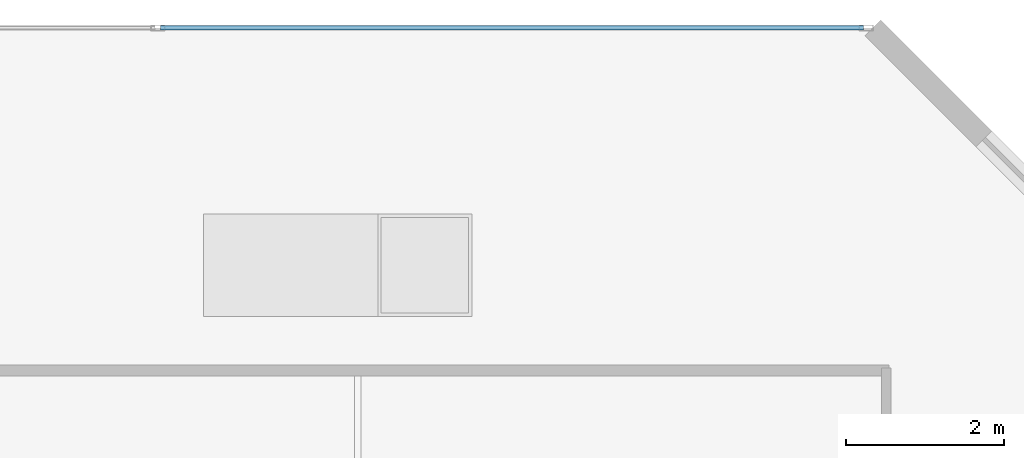
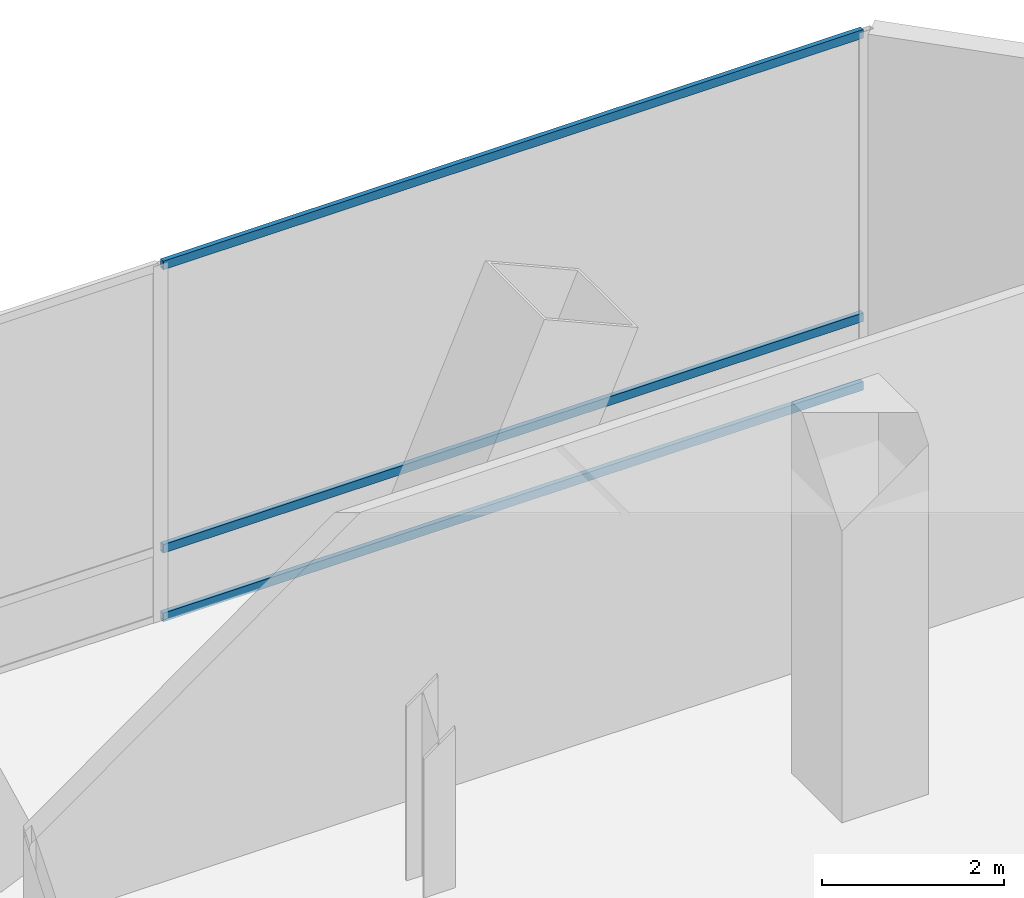
# One storey, part 25 of 42: 3 members, 1 element without a shape of its own.
"""IFC4 building model written with IfcOpenShell, lengths in metres."""

from ifc_helpers import new_model, si_unit, direction, frame, origin, origin_2d, place, context, subcontext, project, spatial, hollow_rectangle, extrude, material, layer, layer_set, material_profile, profile_set, type_object, element, aggregate, save


model = new_model("IFC4")

# Units and contexts
model_context = context("Model", 3, precision=1e-05, world=origin(), true_north=direction((0.0, 1.0)))
body_context = subcontext(model_context, "Body", "Model", "MODEL_VIEW")
ifc_project = project(units=[si_unit("LENGTHUNIT", "METRE"), si_unit("AREAUNIT", "SQUARE_METRE"), si_unit("VOLUMEUNIT", "CUBIC_METRE"), si_unit("PLANEANGLEUNIT", "RADIAN"), si_unit("MASSUNIT", "GRAM", prefix="KILO")], contexts=[model_context])

# Site, building, storey
site_placement = place(None, origin())
site = spatial("IfcSite", under=ifc_project, at=site_placement, CompositionType="ELEMENT")
building_placement = place(site_placement, origin())
building = spatial("IfcBuilding", under=site, at=building_placement, Name="Qianvela Tower", CompositionType="ELEMENT")
storey_placement = place(building_placement, frame((0.0, 0.0, 6.0)))
storey = spatial("IfcBuildingStorey", under=building, at=storey_placement, Name="L01", CompositionType="ELEMENT", Elevation=6.0)

# Curtain wall, members
ifc_material_1 = material(Name="Anodised Architectural Aluminium and Low-E Glass", Category="aluminium")
ifc_layer = layer(ifc_material_1, 0.179931640625)
ifc_layer_set = layer_set([ifc_layer], Name="Anodised Architectural Aluminium and Low-E Glass")
curtain_wall_type = type_object("IfcCurtainWallType", Name="CW-COMMONS", PredefinedType="USERDEFINED", material=ifc_layer_set)
curtain_wall_placement = place(storey_placement, origin())
curtain_wall = element("IfcCurtainWall", 1, at=curtain_wall_placement, inside=storey, type_object=curtain_wall_type, Name="L01 CW-COMMONS Curtain Wall 05", ObjectType="CURTAIN_WALL_SYSTEM", PredefinedType="USERDEFINED")
ifc_material_2 = material(Name="Anodised Architectural Aluminium 6063-T6", Category="aluminium")
ifc_material_profile = material_profile(ifc_material_2, hollow_rectangle(XDim=0.06005859375, YDim=0.114990234375, WallThickness=0.00390625, at=origin_2d()), Name="ALU-TRAN-60x115")
ifc_profile_set = profile_set([ifc_material_profile], Name="Anodised Architectural Aluminium 6063-T6")
member_type = type_object("IfcMemberType", Name="CW-COMMONS-TRAN", PredefinedType="USERDEFINED", material=ifc_profile_set)
member_1_placement = place(storey_placement, frame((68.8798828125, 50.5, 0.030029296875), z_axis=(-1.0, 0.0, 0.0), x_axis=(0.0, -1.0, 0.0)))
member_1 = element("IfcMember", 2, at=member_1_placement, type_object=member_type, Name="CW-2 transom 1.1", ObjectType="TRANSOM", PredefinedType="USERDEFINED", context=body_context, shape_type="SweptSolid", body=[
    extrude(hollow_rectangle(XDim=0.06005859375, YDim=0.114990234375, WallThickness=0.00390625, at=origin_2d()), origin(), (0.0, 0.0, 1.0), 8.880615234375),
])
member_2_placement = place(storey_placement, frame((68.8798828125, 50.5, 0.949951171875), z_axis=(-1.0, 0.0, 0.0), x_axis=(0.0, -1.0, 0.0)))
member_2 = element("IfcMember", 3, at=member_2_placement, type_object=member_type, Name="CW-2 transom 1.2", ObjectType="TRANSOM", PredefinedType="USERDEFINED", context=body_context, shape_type="SweptSolid", body=[
    extrude(hollow_rectangle(XDim=0.06005859375, YDim=0.114990234375, WallThickness=0.00390625, at=origin_2d()), origin(), (0.0, 0.0, 1.0), 8.880615234375),
])
member_3_placement = place(storey_placement, frame((68.8798828125, 50.5, 4.75), z_axis=(-1.0, 0.0, 0.0), x_axis=(0.0, -1.0, 0.0)))
member_3 = element("IfcMember", 4, at=member_3_placement, type_object=member_type, Name="CW-2 transom 1.3", ObjectType="TRANSOM", PredefinedType="USERDEFINED", context=body_context, shape_type="SweptSolid", body=[
    extrude(hollow_rectangle(XDim=0.06005859375, YDim=0.114990234375, WallThickness=0.00390625, at=origin_2d()), origin(), (0.0, 0.0, 1.0), 8.880615234375),
])
aggregate(curtain_wall, [member_1, member_2, member_3])

save(model, "model.ifc")
